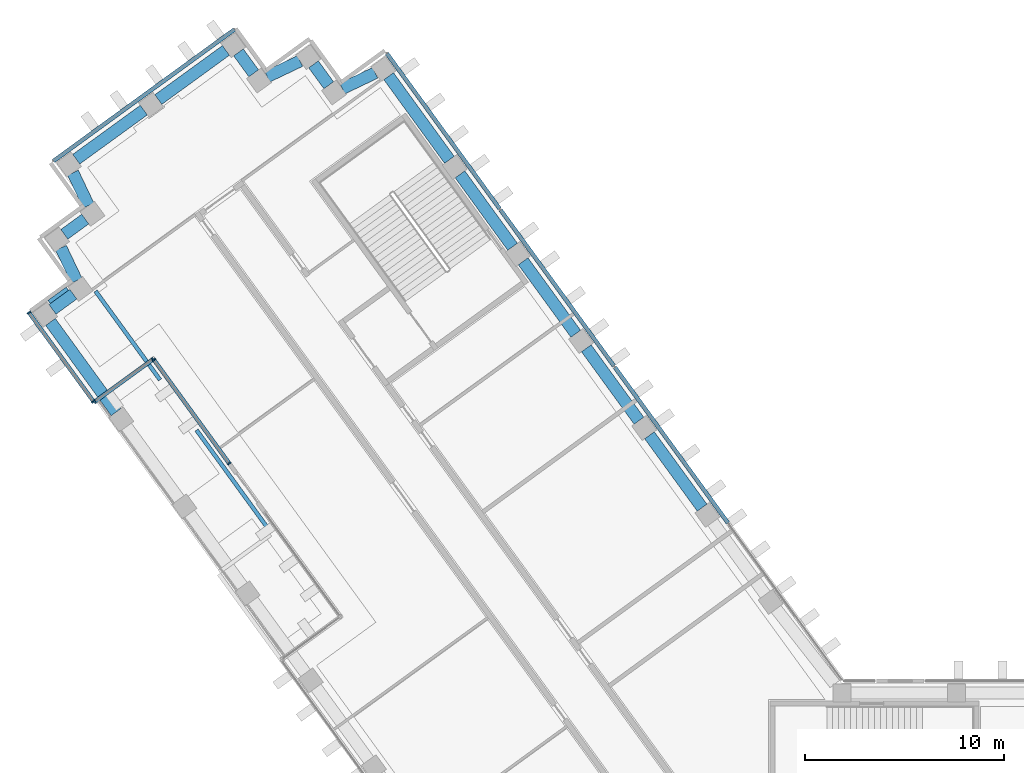
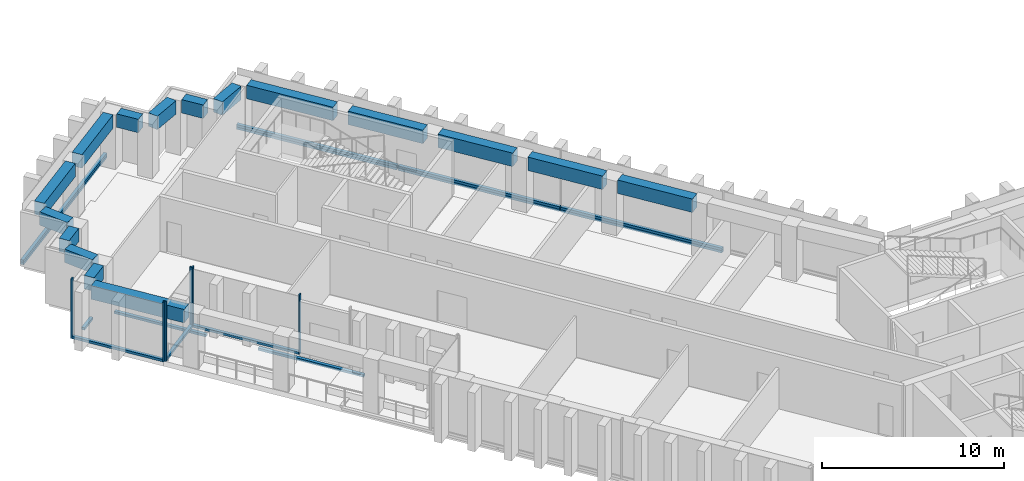
"""IFC4 building model written with IfcOpenShell, lengths in metres."""

from ifc_helpers import new_model, si_unit, direction, frame, origin, origin_2d, place, context, subcontext, project, spatial, rectangle, extrude, material, material_profile, profile_set, type_object, element, aggregate, save


model = new_model("IFC4")

# Units and contexts
model_context = context("Model", 3, precision=1e-05, world=origin(), true_north=direction((0.0, 1.0)))
body_context = subcontext(model_context, "Body", "Model", "MODEL_VIEW")
ifc_project = project(units=[si_unit("LENGTHUNIT", "METRE"), si_unit("AREAUNIT", "SQUARE_METRE"), si_unit("VOLUMEUNIT", "CUBIC_METRE"), si_unit("PLANEANGLEUNIT", "RADIAN"), si_unit("MASSUNIT", "GRAM", prefix="KILO")], contexts=[model_context])

# Site, building, storey
site_placement = place(None, origin())
site = spatial("IfcSite", under=ifc_project, at=site_placement, CompositionType="ELEMENT")
building_placement = place(site_placement, origin())
building = spatial("IfcBuilding", under=site, at=building_placement, Name="Quipu Civic Tower", CompositionType="ELEMENT")
storey_1_placement = place(building_placement, frame((0.0, 0.0, 43.0)))
storey_1 = spatial("IfcBuildingStorey", under=building, at=storey_1_placement, Name="L09", CompositionType="ELEMENT", Elevation=43.0)

# Curtain wall, members
ifc_material_1 = material(Name="Insulated glass unit", Category="glass")
curtain_wall_type = type_object("IfcCurtainWallType", Name="Office curtain wall CW1", PredefinedType="NOTDEFINED", material=ifc_material_1)
curtain_wall_1_placement = place(storey_1_placement, origin())
curtain_wall_1 = element("IfcCurtainWall", 1, at=curtain_wall_1_placement, inside=storey_1, type_object=curtain_wall_type, Name="Office curtain wall CW1 L09 run 1", PredefinedType="NOTDEFINED")
ifc_material_2 = material(Name="Anodised aluminium", Category="aluminium")
ifc_material_profile_1 = material_profile(ifc_material_2, rectangle(XDim=0.199951171875, YDim=0.080078125, at=origin_2d()), Name="RECT 200x80")
ifc_profile_set_1 = profile_set([ifc_material_profile_1], Name="Anodised aluminium")
member_type_1 = type_object("IfcMemberType", Name="Mullion CW1", PredefinedType="MULLION", material=ifc_profile_set_1)
member_1_placement = place(storey_1_placement, frame((-55.23046875, 29.606201171875, 0.080078125), z_axis=(0.0, 0.0, 1.0), x_axis=(0.809017072762, 0.587785144401, 0.0)))
member_1 = element("IfcMember", 2, at=member_1_placement, type_object=member_type_1, Name="CW1 mullion 1", PredefinedType="MULLION", context=body_context, shape_type="SweptSolid", body=[
    extrude(rectangle(XDim=0.199951171875, YDim=0.080078125, at=origin_2d()), origin(), (0.0, 0.0, 1.0), 4.0),
])
member_2_placement = place(storey_1_placement, frame((-51.986083984375, 25.140380859375, 0.080078125), z_axis=(0.0, 0.0, 1.0), x_axis=(0.809017072762, 0.587785144401, 0.0)))
member_2 = element("IfcMember", 3, at=member_2_placement, type_object=member_type_1, Name="CW1 mullion 2", PredefinedType="MULLION", context=body_context, shape_type="SweptSolid", body=[
    extrude(rectangle(XDim=0.199951171875, YDim=0.080078125, at=origin_2d()), origin(), (0.0, 0.0, 1.0), 4.0),
])

curtain_wall_2_placement = place(storey_1_placement, origin())
curtain_wall_2 = element("IfcCurtainWall", 4, at=curtain_wall_2_placement, inside=storey_1, type_object=curtain_wall_type, Name="Office curtain wall CW1 L09 run 2", PredefinedType="NOTDEFINED")
member_3_placement = place(storey_1_placement, frame((-51.93017578125, 25.131591796875, 0.080078125), z_axis=(0.0, 0.0, 1.0), x_axis=(-0.587784451405, 0.809017576253, 0.0)))
member_3 = element("IfcMember", 5, at=member_3_placement, type_object=member_type_1, Name="CW1 mullion 1", PredefinedType="MULLION", context=body_context, shape_type="SweptSolid", body=[
    extrude(rectangle(XDim=0.199951171875, YDim=0.080078125, at=origin_2d()), origin(), (0.0, 0.0, 1.0), 4.0),
])
member_4_placement = place(storey_1_placement, frame((-49.012939453125, 27.2509765625, 0.080078125), z_axis=(0.0, 0.0, 1.0), x_axis=(-0.587784451405, 0.809017576253, 0.0)))
member_4 = element("IfcMember", 6, at=member_4_placement, type_object=member_type_1, Name="CW1 mullion 2", PredefinedType="MULLION", context=body_context, shape_type="SweptSolid", body=[
    extrude(rectangle(XDim=0.199951171875, YDim=0.080078125, at=origin_2d()), origin(), (0.0, 0.0, 1.0), 4.0),
])

curtain_wall_3_placement = place(storey_1_placement, origin())
curtain_wall_3 = element("IfcCurtainWall", 7, at=curtain_wall_3_placement, inside=storey_1, type_object=curtain_wall_type, Name="Office curtain wall CW1 L09 run 3", PredefinedType="NOTDEFINED")
member_5_placement = place(storey_1_placement, frame((-48.957275390625, 27.2421875, 0.080078125), z_axis=(0.0, 0.0, 1.0), x_axis=(0.809018600878, 0.587783041125, 0.0)))
member_5 = element("IfcMember", 8, at=member_5_placement, type_object=member_type_1, Name="CW1 mullion 1", PredefinedType="MULLION", context=body_context, shape_type="SweptSolid", body=[
    extrude(rectangle(XDim=0.199951171875, YDim=0.080078125, at=origin_2d()), origin(), (0.0, 0.0, 1.0), 4.0),
])
member_6_placement = place(storey_1_placement, frame((-45.1728515625, 22.033447265625, 0.080078125), z_axis=(0.0, 0.0, 1.0), x_axis=(0.809018600878, 0.587783041125, 0.0)))
member_6 = element("IfcMember", 9, at=member_6_placement, type_object=member_type_1, Name="CW1 mullion 2", PredefinedType="MULLION", context=body_context, shape_type="SweptSolid", body=[
    extrude(rectangle(XDim=0.199951171875, YDim=0.080078125, at=origin_2d()), origin(), (0.0, 0.0, 1.0), 4.0),
])

# Beams
ifc_material_3 = material(Name="Concrete C50/60", Category="concrete")
ifc_material_profile_2 = material_profile(ifc_material_3, rectangle(XDim=0.60009765625, YDim=0.89990234375, at=origin_2d()), Name="RC600x900")
ifc_profile_set_2 = profile_set([ifc_material_profile_2], Name="Concrete C50/60")
beam_type = type_object("IfcBeamType", Name="Spandrel beam RC 600x900 C50/60", PredefinedType="SPANDREL", material=ifc_profile_set_2)
for number, where, z_axis, x_axis, name in (
    (10, (-21.411865234375, 19.807861328125, 3.199951171875), (-0.587778073121, 0.809022210299, 0.0), (-0.809022210299, -0.587778073121, 0.0), "Spandrel beam L09 W-IN-02 to W-IN-03"),
    (11, (-24.585693359375, 24.1767578125, 3.199951171875), (-0.587778073121, 0.809022210299, 0.0), (-0.809022210299, -0.587778073121, 0.0), "Spandrel beam L09 W-IN-03 to W-IN-04"),
    (12, (-27.759765625, 28.545654296875, 3.199951171875), (-0.587742561851, 0.809048009076, 0.0), (-0.809048009076, -0.587742561851, 0.0), "Spandrel beam L09 W-IN-04 to W-IN-05"),
    (13, (-30.93359375, 32.914306640625, 3.199951171875), (-0.587716763865, 0.809066749701, 0.0), (-0.809066749701, -0.587716763865, 0.0), "Spandrel beam L09 W-IN-05 to W-IN-06"),
):
    element("IfcBeam", number, at=place(storey_1_placement, frame(where, z_axis=z_axis, x_axis=x_axis)), inside=storey_1, type_object=beam_type, Name=name, PredefinedType="SPANDREL", context=body_context, shape_type="SweptSolid", body=[
        extrude(rectangle(XDim=0.60009765625, YDim=0.89990234375, at=origin_2d()), origin(), (0.0, 0.0, 1.0), 4.5),
    ])
beam_1_placement = place(storey_1_placement, frame((-34.107421875, 37.283203125, 3.199951171875), z_axis=(-0.587732861365, 0.80905505602, 0.0), x_axis=(-0.80905505602, -0.587732861365, 0.0)))
element("IfcBeam", 14, at=beam_1_placement, inside=storey_1, type_object=beam_type, Name="Spandrel beam L09 W-IN-06 to T-Wi.0-W50", PredefinedType="SPANDREL", context=body_context, shape_type="SweptSolid", body=[
    extrude(rectangle(XDim=0.60009765625, YDim=0.89990234375, at=origin_2d()), origin(), (0.0, 0.0, 1.0), 5.194580078125),
])
beam_2_placement = place(storey_1_placement, frame((-37.837890625, 41.65283203125, 3.199951171875), z_axis=(-0.90245397739, -0.430786279601, 0.0), x_axis=(0.430786279601, -0.90245397739, 0.0)))
element("IfcBeam", 15, at=beam_2_placement, inside=storey_1, type_object=beam_type, Name="Spandrel beam L09 T-Wi.0-W50 to T-Wi.1-W50", PredefinedType="SPANDREL", context=body_context, shape_type="SweptSolid", body=[
    extrude(rectangle(XDim=0.60009765625, YDim=0.89990234375, at=origin_2d()), origin(), (0.0, 0.0, 1.0), 1.83349609375),
])
beam_3_placement = place(storey_1_placement, frame((-40.170166015625, 41.02978515625, 3.199951171875), z_axis=(-0.588461937499, 0.808524921146, 0.0), x_axis=(-0.808524921146, -0.588461937499, 0.0)))
element("IfcBeam", 16, at=beam_3_placement, inside=storey_1, type_object=beam_type, Name="Spandrel beam L09 T-Wi.1-W50 to T-Wi.2-W50", PredefinedType="SPANDREL", context=body_context, shape_type="SweptSolid", body=[
    extrude(rectangle(XDim=0.60009765625, YDim=0.89990234375, at=origin_2d()), origin(), (0.0, 0.0, 1.0), 1.30029296875),
])
beam_4_placement = place(storey_1_placement, frame((-41.613037109375, 42.248046875, 3.199951171875), z_axis=(-0.902613270121, -0.430452418511, 0.0), x_axis=(0.430452418511, -0.902613270121, 0.0)))
element("IfcBeam", 17, at=beam_4_placement, inside=storey_1, type_object=beam_type, Name="Spandrel beam L09 T-Wi.2-W50 to T-Wi.3-W50", PredefinedType="SPANDREL", context=body_context, shape_type="SweptSolid", body=[
    extrude(rectangle(XDim=0.60009765625, YDim=0.89990234375, at=origin_2d()), origin(), (0.0, 0.0, 1.0), 1.826416015625),
])
beam_5_placement = place(storey_1_placement, frame((-43.939453125, 41.628662109375, 3.199951171875), z_axis=(-0.588383572423, 0.808581951136, 0.0), x_axis=(-0.808581951136, -0.588383572423, 0.0)))
element("IfcBeam", 18, at=beam_5_placement, inside=storey_1, type_object=beam_type, Name="Spandrel beam L09 T-Wi.3-W50 to T-Wi.4-W50", PredefinedType="SPANDREL", context=body_context, shape_type="SweptSolid", body=[
    extrude(rectangle(XDim=0.60009765625, YDim=0.89990234375, at=origin_2d()), origin(), (0.0, 0.0, 1.0), 1.3017578125),
])
beam_6_placement = place(storey_1_placement, frame((-45.333984375, 42.780517578125, 3.199951171875), z_axis=(-0.808969789945, -0.58785021813, 0.0), x_axis=(0.58785021813, -0.808969789945, 0.0)))
element("IfcBeam", 19, at=beam_6_placement, inside=storey_1, type_object=beam_type, Name="Spandrel beam L09 T-Wi.4-W50 to TIP-W-01-W50", PredefinedType="SPANDREL", context=body_context, shape_type="SweptSolid", body=[
    extrude(rectangle(XDim=0.60009765625, YDim=0.89990234375, at=origin_2d()), origin(), (0.0, 0.0, 1.0), 4.199951171875),
])
beam_7_placement = place(storey_1_placement, frame((-49.459716796875, 39.782470703125, 3.199951171875), z_axis=(-0.808959834407, -0.587863918196, 0.0), x_axis=(0.587863918196, -0.808959834407, 0.0)))
element("IfcBeam", 20, at=beam_7_placement, inside=storey_1, type_object=beam_type, Name="Spandrel beam L09 TIP-W-01-W50 to T-Wo.0-W50", PredefinedType="SPANDREL", context=body_context, shape_type="SweptSolid", body=[
    extrude(rectangle(XDim=0.60009765625, YDim=0.89990234375, at=origin_2d()), origin(), (0.0, 0.0, 1.0), 4.1982421875),
])
beam_8_placement = place(storey_1_placement, frame((-53.023193359375, 36.63671875, 3.199951171875), z_axis=(0.430166558323, -0.902749540072, 0.0), x_axis=(0.902749540072, 0.430166558323, 0.0)))
element("IfcBeam", 21, at=beam_8_placement, inside=storey_1, type_object=beam_type, Name="Spandrel beam L09 T-Wo.0-W50 to T-Wo.1-W50", PredefinedType="SPANDREL", context=body_context, shape_type="SweptSolid", body=[
    extrude(rectangle(XDim=0.60009765625, YDim=0.89990234375, at=origin_2d()), origin(), (0.0, 0.0, 1.0), 1.830322265625),
])
beam_9_placement = place(storey_1_placement, frame((-52.40283203125, 34.306396484375, 3.199951171875), z_axis=(-0.808509099783, -0.588483674853, 0.0), x_axis=(0.588483674853, -0.808509099783, 0.0)))
element("IfcBeam", 22, at=beam_9_placement, inside=storey_1, type_object=beam_type, Name="Spandrel beam L09 T-Wo.1-W50 to T-Wo.2-W50", PredefinedType="SPANDREL", context=body_context, shape_type="SweptSolid", body=[
    extrude(rectangle(XDim=0.60009765625, YDim=0.89990234375, at=origin_2d()), origin(), (0.0, 0.0, 1.0), 1.302734375),
])
beam_10_placement = place(storey_1_placement, frame((-53.62255859375, 32.8623046875, 3.199951171875), z_axis=(0.431446050156, -0.902138739776, 0.0), x_axis=(0.902138739776, 0.431446050156, 0.0)))
element("IfcBeam", 23, at=beam_10_placement, inside=storey_1, type_object=beam_type, Name="Spandrel beam L09 T-Wo.2-W50 to T-Wo.3-W50", PredefinedType="SPANDREL", context=body_context, shape_type="SweptSolid", body=[
    extrude(rectangle(XDim=0.60009765625, YDim=0.89990234375, at=origin_2d()), origin(), (0.0, 0.0, 1.0), 1.828857421875),
])
beam_11_placement = place(storey_1_placement, frame((-53.0, 30.53466796875, 3.199951171875), z_axis=(-0.808549242423, -0.588428519514, 0.0), x_axis=(0.588428519514, -0.808549242423, 0.0)))
element("IfcBeam", 24, at=beam_11_placement, inside=storey_1, type_object=beam_type, Name="Spandrel beam L09 T-Wo.3-W50 to T-Wo.4-W50", PredefinedType="SPANDREL", context=body_context, shape_type="SweptSolid", body=[
    extrude(rectangle(XDim=0.60009765625, YDim=0.89990234375, at=origin_2d()), origin(), (0.0, 0.0, 1.0), 1.2998046875),
])
beam_12_placement = place(storey_1_placement, frame((-54.150390625, 29.140869140625, 3.199951171875), z_axis=(0.587772657145, -0.809026145135, 0.0), x_axis=(0.809026145135, 0.587772657145, 0.0)))
element("IfcBeam", 25, at=beam_12_placement, inside=storey_1, type_object=beam_type, Name="Spandrel beam L09 T-Wo.4-W50 to W-OUT-07", PredefinedType="SPANDREL", context=body_context, shape_type="SweptSolid", body=[
    extrude(rectangle(XDim=0.60009765625, YDim=0.89990234375, at=origin_2d()), origin(), (0.0, 0.0, 1.0), 5.603271484375),
])

# Storey
storey_2_placement = place(building_placement, frame((0.0, 0.0, 35.0)))
storey_2 = spatial("IfcBuildingStorey", under=building, at=storey_2_placement, Name="L07", CompositionType="ELEMENT", Elevation=35.0)

# Curtain wall, members
curtain_wall_4_placement = place(storey_2_placement, origin())
curtain_wall_4 = element("IfcCurtainWall", 26, at=curtain_wall_4_placement, inside=storey_2, type_object=curtain_wall_type, Name="Office curtain wall CW1 L06 run 32", PredefinedType="NOTDEFINED")
ifc_material_4 = material(Name="Anodised aluminium", Category="aluminium")
ifc_material_profile_3 = material_profile(ifc_material_4, rectangle(XDim=0.199951171875, YDim=0.159912109375, at=origin_2d()), Name="RECT 200x160")
ifc_profile_set_3 = profile_set([ifc_material_profile_3], Name="Anodised aluminium")
member_type_2 = type_object("IfcMemberType", Name="Transom CW1", PredefinedType="USERDEFINED", material=ifc_profile_set_3)
member_7_placement = place(storey_1_placement, frame((-20.105224609375, 19.029296875, 0.0), z_axis=(-0.587793764301, 0.80901080997, 0.0), x_axis=(-0.80901080997, -0.587793764301, 0.0)))
member_7 = element("IfcMember", 27, at=member_7_placement, inside=storey_1, type_object=member_type_2, Name="CW1 transom 2.4", ObjectType="TRANSOM", PredefinedType="USERDEFINED", context=body_context, shape_type="SweptSolid", body=[
    extrude(rectangle(XDim=0.199951171875, YDim=0.159912109375, at=origin_2d()), origin(), (0.0, 0.0, 1.0), 9.680908203125),
])
member_8_placement = place(storey_1_placement, frame((-25.842529296875, 26.926025390625, 0.0), z_axis=(-0.58778177227, 0.809019522748, 0.0), x_axis=(-0.809019522748, -0.58778177227, 0.0)))
member_8 = element("IfcMember", 28, at=member_8_placement, inside=storey_1, type_object=member_type_2, Name="CW1 transom 3.4", ObjectType="TRANSOM", PredefinedType="USERDEFINED", context=body_context, shape_type="SweptSolid", body=[
    extrude(rectangle(XDim=0.199951171875, YDim=0.159912109375, at=origin_2d()), origin(), (0.0, 0.0, 1.0), 9.68115234375),
])
member_9_placement = place(storey_1_placement, frame((-31.580078125, 34.822998046875, 0.0), z_axis=(-0.587775627857, 0.809023986849, 0.0), x_axis=(-0.809023986849, -0.587775627857, 0.0)))
member_9 = element("IfcMember", 29, at=member_9_placement, inside=storey_1, type_object=member_type_2, Name="CW1 transom 4.4", ObjectType="TRANSOM", PredefinedType="USERDEFINED", context=body_context, shape_type="SweptSolid", body=[
    extrude(rectangle(XDim=0.199951171875, YDim=0.159912109375, at=origin_2d()), origin(), (0.0, 0.0, 1.0), 9.64111328125),
])
aggregate(curtain_wall_4, [member_7, member_8, member_9])

# Curtain wall, member
curtain_wall_5_placement = place(storey_2_placement, origin())
curtain_wall_5 = element("IfcCurtainWall", 30, at=curtain_wall_5_placement, inside=storey_2, type_object=curtain_wall_type, Name="Office curtain wall CW1 L06 run 37", PredefinedType="NOTDEFINED")
member_10_placement = place(storey_1_placement, frame((-44.9013671875, 43.8349609375, 0.0), z_axis=(-0.809032792449, -0.587763507495, 0.0), x_axis=(0.587763507495, -0.809032792449, 0.0)))
member_10 = element("IfcMember", 31, at=member_10_placement, inside=storey_1, type_object=member_type_2, Name="CW1 transom 1.4", ObjectType="TRANSOM", PredefinedType="USERDEFINED", context=body_context, shape_type="SweptSolid", body=[
    extrude(rectangle(XDim=0.199951171875, YDim=0.159912109375, at=origin_2d()), origin(), (0.0, 0.0, 1.0), 11.239990234375),
])
aggregate(curtain_wall_5, [member_10])

# Storey
storey_3_placement = place(building_placement, frame((0.0, 0.0, 39.0)))
storey_3 = spatial("IfcBuildingStorey", under=building, at=storey_3_placement, Name="L08", CompositionType="ELEMENT", Elevation=39.0)

# Curtain wall, member
curtain_wall_6_placement = place(storey_3_placement, origin())
curtain_wall_6 = element("IfcCurtainWall", 32, at=curtain_wall_6_placement, inside=storey_3, type_object=curtain_wall_type, Name="Office curtain wall CW1 L08 run 1", PredefinedType="NOTDEFINED")
member_11_placement = place(storey_1_placement, frame((-54.22216796875, 30.14111328125, 0.0), z_axis=(0.80900453771, 0.587802397039, 0.0), x_axis=(-0.587802397039, 0.80900453771, 0.0)))
member_11 = element("IfcMember", 33, at=member_11_placement, inside=storey_1, type_object=member_type_2, Name="CW1 transom 1.2", ObjectType="TRANSOM", PredefinedType="USERDEFINED", context=body_context, shape_type="SweptSolid", body=[
    extrude(rectangle(XDim=0.199951171875, YDim=0.159912109375, at=origin_2d()), origin(), (0.0, 0.0, 1.0), 1.14013671875),
])
aggregate(curtain_wall_6, [member_11])

curtain_wall_7_placement = place(storey_3_placement, origin())
curtain_wall_7 = element("IfcCurtainWall", 34, at=curtain_wall_7_placement, inside=storey_3, type_object=curtain_wall_type, Name="Office curtain wall CW1 L08 run 2", PredefinedType="NOTDEFINED")
member_12_placement = place(storey_1_placement, frame((-51.8857421875, 30.689697265625, 0.0), z_axis=(0.58779220199, -0.809011945079, 0.0), x_axis=(0.809011945079, 0.58779220199, 0.0)))
member_12 = element("IfcMember", 35, at=member_12_placement, inside=storey_1, type_object=member_type_2, Name="CW1 transom 1.2", ObjectType="TRANSOM", PredefinedType="USERDEFINED", context=body_context, shape_type="SweptSolid", body=[
    extrude(rectangle(XDim=0.199951171875, YDim=0.159912109375, at=origin_2d()), origin(), (0.0, 0.0, 1.0), 5.50927734375),
])
aggregate(curtain_wall_7, [member_12])

curtain_wall_8_placement = place(storey_3_placement, origin())
curtain_wall_8 = element("IfcCurtainWall", 36, at=curtain_wall_8_placement, inside=storey_3, type_object=curtain_wall_type, Name="Office curtain wall CW1 L08 run 4", PredefinedType="NOTDEFINED")
member_13_placement = place(storey_1_placement, frame((-46.811767578125, 23.7060546875, 0.0), z_axis=(0.587753810544, -0.809039837209, 0.0), x_axis=(0.809039837209, 0.587753810544, 0.0)))
member_13 = element("IfcMember", 37, at=member_13_placement, inside=storey_1, type_object=member_type_2, Name="CW1 transom 1.2", ObjectType="TRANSOM", PredefinedType="USERDEFINED", context=body_context, shape_type="SweptSolid", body=[
    extrude(rectangle(XDim=0.199951171875, YDim=0.159912109375, at=origin_2d()), origin(), (0.0, 0.0, 1.0), 6.358154296875),
])
aggregate(curtain_wall_8, [member_13])

# Member
member_14_placement = place(storey_1_placement, frame((-55.20703125, 29.573974609375, 0.159912109375), z_axis=(0.587774027131, -0.809025149813, 0.0), x_axis=(0.809025149813, 0.587774027131, 0.0)))
member_14 = element("IfcMember", 38, at=member_14_placement, type_object=member_type_2, Name="CW1 transom 1.1", ObjectType="TRANSOM", PredefinedType="USERDEFINED", context=body_context, shape_type="SweptSolid", body=[
    extrude(rectangle(XDim=0.199951171875, YDim=0.159912109375, at=origin_2d()), origin(), (0.0, 0.0, 1.0), 5.43994140625),
])

aggregate(curtain_wall_1, [member_1, member_2, member_14])

member_15_placement = place(storey_1_placement, frame((-51.897705078125, 25.155029296875, 0.159912109375), z_axis=(0.80899053112, 0.587821674114, 0.0), x_axis=(-0.587821674114, 0.80899053112, 0.0)))
member_15 = element("IfcMember", 39, at=member_15_placement, type_object=member_type_2, Name="CW1 transom 1.1", ObjectType="TRANSOM", PredefinedType="USERDEFINED", context=body_context, shape_type="SweptSolid", body=[
    extrude(rectangle(XDim=0.199951171875, YDim=0.159912109375, at=origin_2d()), origin(), (0.0, 0.0, 1.0), 3.525634765625),
])

aggregate(curtain_wall_2, [member_3, member_4, member_15])

member_16_placement = place(storey_1_placement, frame((-48.93359375, 27.209716796875, 0.159912109375), z_axis=(0.587778942742, -0.809021578494, 0.0), x_axis=(0.809021578494, 0.587778942742, 0.0)))
member_16 = element("IfcMember", 40, at=member_16_placement, type_object=member_type_2, Name="CW1 transom 1.1", ObjectType="TRANSOM", PredefinedType="USERDEFINED", context=body_context, shape_type="SweptSolid", body=[
    extrude(rectangle(XDim=0.199951171875, YDim=0.159912109375, at=origin_2d()), origin(), (0.0, 0.0, 1.0), 6.3583984375),
])

aggregate(curtain_wall_3, [member_5, member_6, member_16])

# Storey
storey_4_placement = place(building_placement, frame((0.0, 0.0, 47.0)))
storey_4 = spatial("IfcBuildingStorey", under=building, at=storey_4_placement, Name="L10", CompositionType="ELEMENT", Elevation=47.0)

# Curtain wall, members
curtain_wall_9_placement = place(storey_4_placement, origin())
curtain_wall_9 = element("IfcCurtainWall", 41, at=curtain_wall_9_placement, inside=storey_4, type_object=curtain_wall_type, Name="Office curtain wall CW1 L09 run 35", PredefinedType="NOTDEFINED")
member_17_placement = place(storey_1_placement, frame((-20.105224609375, 19.029296875, 0.159912109375), z_axis=(-0.587793764301, 0.80901080997, 0.0), x_axis=(-0.80901080997, -0.587793764301, 0.0)))
member_17 = element("IfcMember", 42, at=member_17_placement, inside=storey_1, type_object=member_type_2, Name="CW1 transom 2.1", ObjectType="TRANSOM", PredefinedType="USERDEFINED", context=body_context, shape_type="SweptSolid", body=[
    extrude(rectangle(XDim=0.199951171875, YDim=0.159912109375, at=origin_2d()), origin(), (0.0, 0.0, 1.0), 9.680908203125),
])
member_18_placement = place(storey_1_placement, frame((-25.842529296875, 26.926025390625, 0.159912109375), z_axis=(-0.58778177227, 0.809019522748, 0.0), x_axis=(-0.809019522748, -0.58778177227, 0.0)))
member_18 = element("IfcMember", 43, at=member_18_placement, inside=storey_1, type_object=member_type_2, Name="CW1 transom 3.1", ObjectType="TRANSOM", PredefinedType="USERDEFINED", context=body_context, shape_type="SweptSolid", body=[
    extrude(rectangle(XDim=0.199951171875, YDim=0.159912109375, at=origin_2d()), origin(), (0.0, 0.0, 1.0), 9.68115234375),
])
member_19_placement = place(storey_1_placement, frame((-31.580078125, 34.822998046875, 0.159912109375), z_axis=(-0.587775627857, 0.809023986849, 0.0), x_axis=(-0.809023986849, -0.587775627857, 0.0)))
member_19 = element("IfcMember", 44, at=member_19_placement, inside=storey_1, type_object=member_type_2, Name="CW1 transom 4.1", ObjectType="TRANSOM", PredefinedType="USERDEFINED", context=body_context, shape_type="SweptSolid", body=[
    extrude(rectangle(XDim=0.199951171875, YDim=0.159912109375, at=origin_2d()), origin(), (0.0, 0.0, 1.0), 9.64111328125),
])
aggregate(curtain_wall_9, [member_17, member_18, member_19])

# Curtain wall, member
curtain_wall_10_placement = place(storey_4_placement, origin())
curtain_wall_10 = element("IfcCurtainWall", 45, at=curtain_wall_10_placement, inside=storey_4, type_object=curtain_wall_type, Name="Office curtain wall CW1 L09 run 40", PredefinedType="NOTDEFINED")
member_20_placement = place(storey_1_placement, frame((-44.9013671875, 43.8349609375, 0.159912109375), z_axis=(-0.809032792449, -0.587763507495, 0.0), x_axis=(0.587763507495, -0.809032792449, 0.0)))
member_20 = element("IfcMember", 46, at=member_20_placement, inside=storey_1, type_object=member_type_2, Name="CW1 transom 1.1", ObjectType="TRANSOM", PredefinedType="USERDEFINED", context=body_context, shape_type="SweptSolid", body=[
    extrude(rectangle(XDim=0.199951171875, YDim=0.159912109375, at=origin_2d()), origin(), (0.0, 0.0, 1.0), 11.239990234375),
])
aggregate(curtain_wall_10, [member_20])

save(model, "model.ifc")
